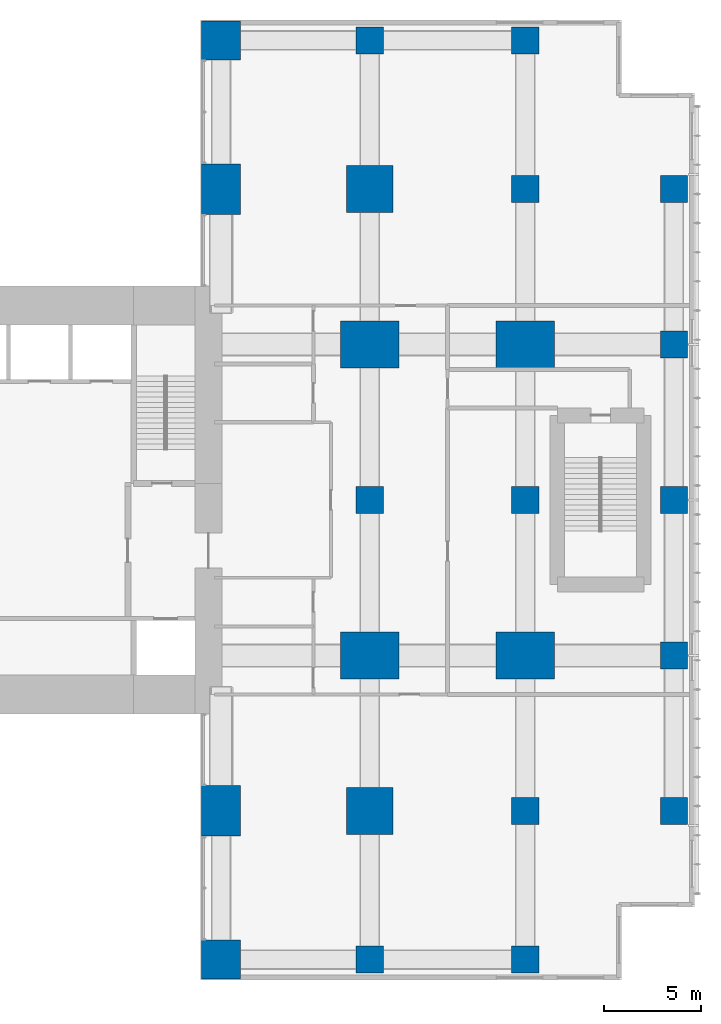
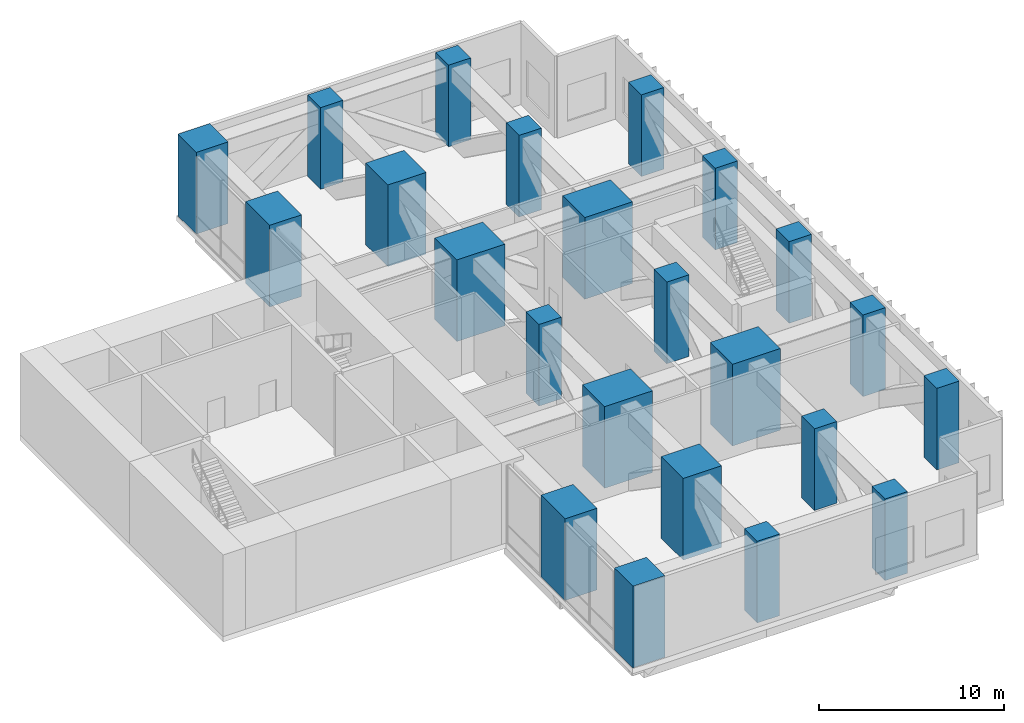
# One storey, part 1 of 10: 23 columns.
"""IFC4 building model written with IfcOpenShell, lengths in metres."""

from ifc_helpers import new_model, si_unit, direction, frame, origin, origin_2d, place, context, subcontext, project, spatial, rectangle, extrude, material, material_profile, profile_set, type_object, element, save


model = new_model("IFC4")

# Units and contexts
model_context = context("Model", 3, precision=1e-05, world=origin(), true_north=direction((0.0, 1.0)))
body_context = subcontext(model_context, "Body", "Model", "MODEL_VIEW")
ifc_project = project(units=[si_unit("LENGTHUNIT", "METRE"), si_unit("AREAUNIT", "SQUARE_METRE"), si_unit("VOLUMEUNIT", "CUBIC_METRE"), si_unit("PLANEANGLEUNIT", "RADIAN"), si_unit("MASSUNIT", "GRAM", prefix="KILO")], contexts=[model_context])

# Site, building, storey
site_placement = place(None, origin())
site = spatial("IfcSite", under=ifc_project, at=site_placement, CompositionType="ELEMENT")
building_placement = place(site_placement, origin())
building = spatial("IfcBuilding", under=site, at=building_placement, Name="Cleftline Residences", CompositionType="ELEMENT")
storey_placement = place(building_placement, frame((0.0, 0.0, 277.199951171875)))
storey = spatial("IfcBuildingStorey", under=building, at=storey_placement, Name="L73", CompositionType="ELEMENT", Elevation=277.199951171875)

# Columns
ifc_material_1 = material(Name="Concrete B70", Category="concrete")
ifc_material_profile_1 = material_profile(ifc_material_1, rectangle(XDim=1.39990234375, YDim=1.39990234375, at=origin_2d()))
ifc_profile_set_1 = profile_set([ifc_material_profile_1], Name="Concrete B70")
column_type_1 = type_object("IfcColumnType", Name="COLUMN RC1400X1400", PredefinedType="COLUMN", material=ifc_profile_set_1)
for number, where, z_axis, x_axis, name in (
    (1, (50.0, 0.35009765625, 0.0), (0.0, 0.0, 1.0), (1.0, 0.0, 0.0), "Column C/9"),
    (2, (50.0, 24.0, 0.0), (0.0, 0.0, 1.0), (1.0, 0.0, 0.0), "Column F/9"),
    (3, (50.0, 47.64990234375, 0.0), (0.0, 0.0, 1.0), (1.0, 0.0, 0.0), "Column J/9"),
    (4, (58.0, 0.35009765625, 0.0), (0.0, 0.0, 1.0), (1.0, 0.0, 0.0), "Column C/10"),
    (5, (58.0, 8.0, 0.0), (0.0, 0.0, 1.0), (1.0, 0.0, 0.0), "Column D/10"),
    (6, (58.0, 24.0, 0.0), (0.0, 0.0, 1.0), (1.0, 0.0, 0.0), "Column F/10"),
    (7, (58.0, 40.0, 0.0), (0.0, 0.0, 1.0), (1.0, 0.0, 0.0), "Column H/10"),
    (8, (58.0, 47.64990234375, 0.0), (0.0, 0.0, 1.0), (1.0, 0.0, 0.0), "Column J/10"),
    (9, (65.64990234375, 8.0, 0.0), (0.0, 0.0, 1.0), (1.0, 0.0, 0.0), "Column D/11"),
    (10, (65.64990234375, 16.0, 0.0), (0.0, 0.0, 1.0), (1.0, 0.0, 0.0), "Column E/11"),
    (11, (65.64990234375, 24.0, 0.0), (0.0, 0.0, 1.0), (1.0, 0.0, 0.0), "Column F/11"),
    (12, (65.64990234375, 32.0, 0.0), (0.0, 0.0, 1.0), (1.0, 0.0, 0.0), "Column G/11"),
    (13, (65.64990234375, 40.0, 0.0), (0.0, 0.0, 1.0), (1.0, 0.0, 0.0), "Column H/11"),
):
    element("IfcColumn", number, at=place(storey_placement, frame(where, z_axis=z_axis, x_axis=x_axis)), inside=storey, type_object=column_type_1, Name=name, PredefinedType="COLUMN", context=body_context, shape_type="SweptSolid", body=[
        extrude(rectangle(XDim=1.39990234375, YDim=1.39990234375, at=origin_2d()), origin(), (0.0, 0.0, 1.0), 5.400146484375),
    ])
ifc_material_2 = material(Name="Concrete B70", Category="concrete")
ifc_material_profile_2 = material_profile(ifc_material_2, rectangle(XDim=2.0, YDim=2.0, at=origin_2d()))
ifc_profile_set_2 = profile_set([ifc_material_profile_2], Name="Concrete B70")
column_type_2 = type_object("IfcColumnType", Name="COLUMN RC2000X2000", PredefinedType="COLUMN", material=ifc_profile_set_2)
for number, where, z_axis, x_axis, name in (
    (14, (42.35009765625, 0.35009765625, 0.0), (0.0, 0.0, 1.0), (1.0, 0.0, 0.0), "Column C/8"),
    (15, (42.35009765625, 47.64990234375, 0.0), (0.0, 0.0, 1.0), (1.0, 0.0, 0.0), "Column J/8"),
):
    element("IfcColumn", number, at=place(storey_placement, frame(where, z_axis=z_axis, x_axis=x_axis)), inside=storey, type_object=column_type_2, Name=name, PredefinedType="COLUMN", context=body_context, shape_type="SweptSolid", body=[
        extrude(rectangle(XDim=2.0, YDim=2.0, at=origin_2d()), origin(), (0.0, 0.0, 1.0), 5.400146484375),
    ])
ifc_material_3 = material(Name="Concrete B70", Category="concrete")
ifc_material_profile_3 = material_profile(ifc_material_3, rectangle(XDim=2.0, YDim=2.60009765625, at=origin_2d()))
ifc_profile_set_3 = profile_set([ifc_material_profile_3], Name="Concrete B70")
column_type_3 = type_object("IfcColumnType", Name="COLUMN RC2000X2600", PredefinedType="COLUMN", material=ifc_profile_set_3)
for number, where, z_axis, x_axis, name in (
    (16, (42.35009765625, 8.0, 0.0), (0.0, 0.0, 1.0), (1.0, 0.0, 0.0), "Column D/8"),
    (17, (42.35009765625, 40.0, 0.0), (0.0, 0.0, 1.0), (1.0, 0.0, 0.0), "Column H/8"),
):
    element("IfcColumn", number, at=place(storey_placement, frame(where, z_axis=z_axis, x_axis=x_axis)), inside=storey, type_object=column_type_3, Name=name, PredefinedType="COLUMN", context=body_context, shape_type="SweptSolid", body=[
        extrude(rectangle(XDim=2.0, YDim=2.60009765625, at=origin_2d()), origin(), (0.0, 0.0, 1.0), 5.400146484375),
    ])
ifc_material_4 = material(Name="Concrete B70", Category="concrete")
ifc_material_profile_4 = material_profile(ifc_material_4, rectangle(XDim=2.39990234375, YDim=2.39990234375, at=origin_2d()))
ifc_profile_set_4 = profile_set([ifc_material_profile_4], Name="Concrete B70")
column_type_4 = type_object("IfcColumnType", Name="COLUMN RC2400X2400", PredefinedType="COLUMN", material=ifc_profile_set_4)
for number, where, z_axis, x_axis, name in (
    (18, (50.0, 8.0, 0.0), (0.0, 0.0, 1.0), (1.0, 0.0, 0.0), "Column D/9"),
    (19, (50.0, 40.0, 0.0), (0.0, 0.0, 1.0), (1.0, 0.0, 0.0), "Column H/9"),
):
    element("IfcColumn", number, at=place(storey_placement, frame(where, z_axis=z_axis, x_axis=x_axis)), inside=storey, type_object=column_type_4, Name=name, PredefinedType="COLUMN", context=body_context, shape_type="SweptSolid", body=[
        extrude(rectangle(XDim=2.39990234375, YDim=2.39990234375, at=origin_2d()), origin(), (0.0, 0.0, 1.0), 5.400146484375),
    ])
ifc_material_5 = material(Name="Concrete B70", Category="concrete")
ifc_material_profile_5 = material_profile(ifc_material_5, rectangle(XDim=3.0, YDim=2.39990234375, at=origin_2d()))
ifc_profile_set_5 = profile_set([ifc_material_profile_5], Name="Concrete B70")
column_type_5 = type_object("IfcColumnType", Name="COLUMN RC3000X2400", PredefinedType="COLUMN", material=ifc_profile_set_5)
for number, where, z_axis, x_axis, name in (
    (20, (50.0, 16.0, 0.0), (0.0, 0.0, 1.0), (1.0, 0.0, 0.0), "Column E/9"),
    (21, (50.0, 32.0, 0.0), (0.0, 0.0, 1.0), (1.0, 0.0, 0.0), "Column G/9"),
    (22, (58.0, 16.0, 0.0), (0.0, 0.0, 1.0), (1.0, 0.0, 0.0), "Column E/10"),
    (23, (58.0, 32.0, 0.0), (0.0, 0.0, 1.0), (1.0, 0.0, 0.0), "Column G/10"),
):
    element("IfcColumn", number, at=place(storey_placement, frame(where, z_axis=z_axis, x_axis=x_axis)), inside=storey, type_object=column_type_5, Name=name, PredefinedType="COLUMN", context=body_context, shape_type="SweptSolid", body=[
        extrude(rectangle(XDim=3.0, YDim=2.39990234375, at=origin_2d()), origin(), (0.0, 0.0, 1.0), 5.400146484375),
    ])

save(model, "model.ifc")
